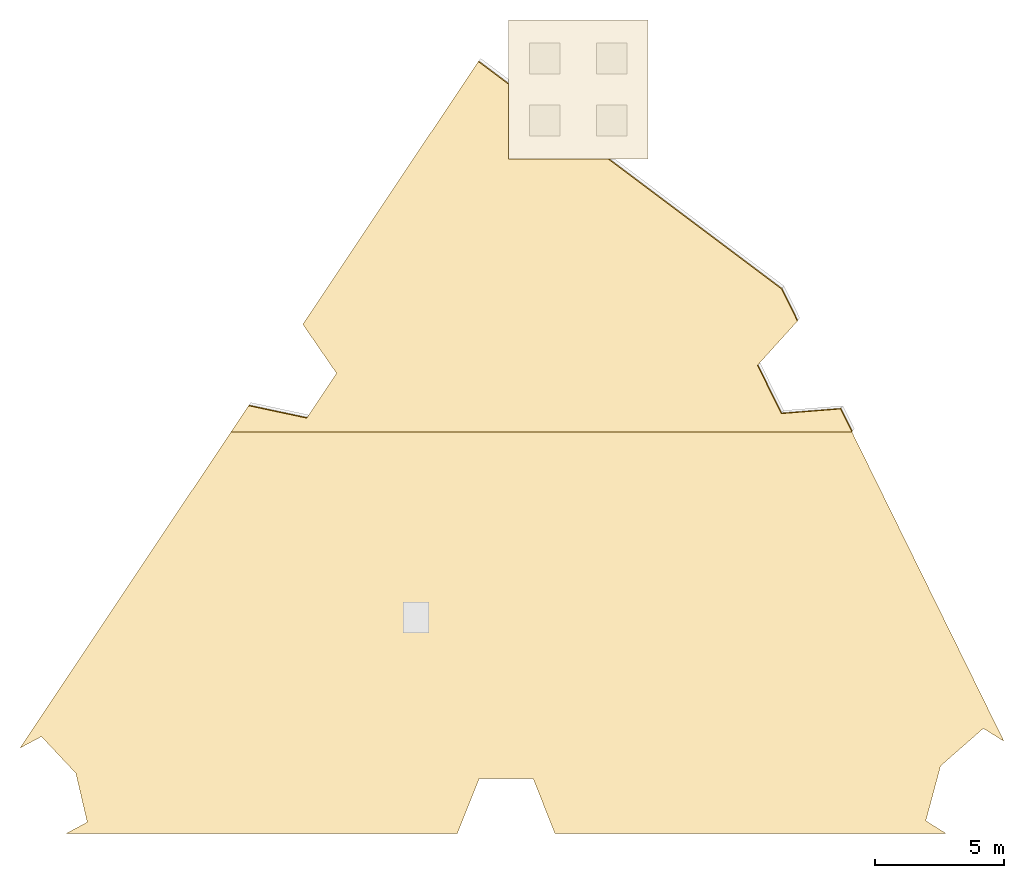
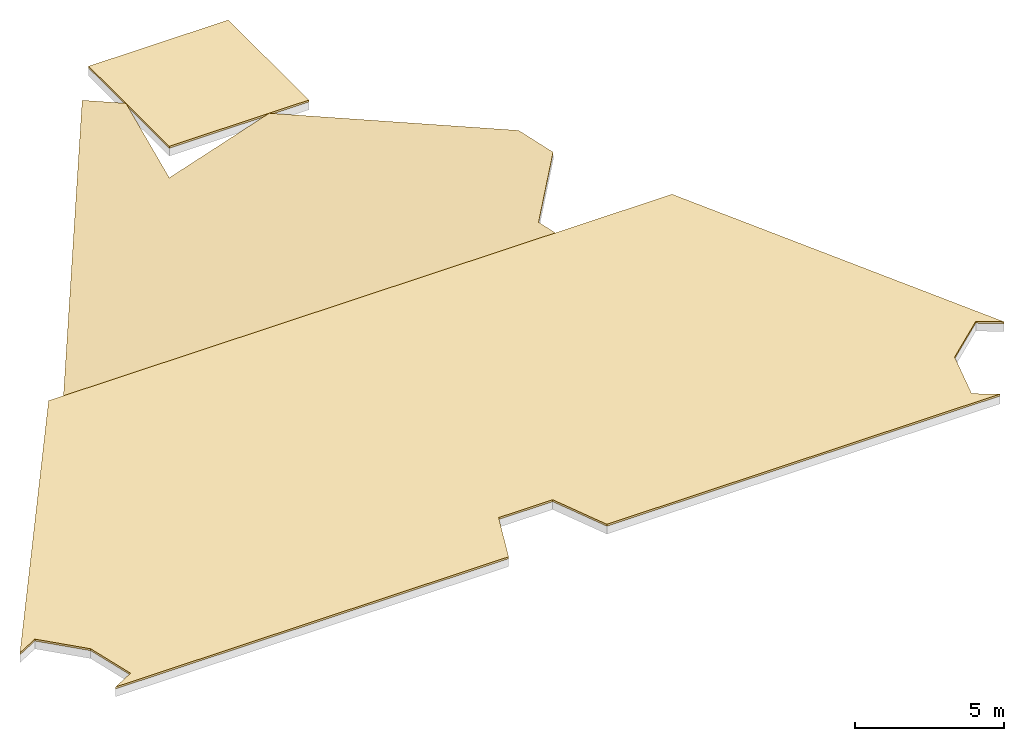
# One storey, part 2 of 2: 3 coverings.
"""IFC4 building model written with IfcOpenShell, lengths in metres."""

from ifc_helpers import new_model, si_unit, direction, frame, origin, place, context, subcontext, project, spatial, polyline, outline, extrude, material, layer, layer_set, type_object, element, save


model = new_model("IFC4")

# Units and contexts
model_context = context("Model", 3, precision=1e-05, world=origin(), true_north=direction((0.0, 1.0)))
body_context = subcontext(model_context, "Body", "Model", "MODEL_VIEW")
ifc_project = project(units=[si_unit("LENGTHUNIT", "METRE"), si_unit("AREAUNIT", "SQUARE_METRE"), si_unit("VOLUMEUNIT", "CUBIC_METRE"), si_unit("PLANEANGLEUNIT", "RADIAN"), si_unit("MASSUNIT", "GRAM", prefix="KILO")], contexts=[model_context])

# Site, building, storey
site_placement = place(None, origin())
site = spatial("IfcSite", under=ifc_project, at=site_placement, CompositionType="ELEMENT")
building_placement = place(site_placement, origin())
building = spatial("IfcBuilding", under=site, at=building_placement, Name="Almagre Mirador Tower", CompositionType="ELEMENT")
storey_placement = place(building_placement, frame((0.0, 0.0, 322.5)))
storey = spatial("IfcBuildingStorey", under=building, at=storey_placement, Name="Roof", CompositionType="ELEMENT", Elevation=322.5)

# Coverings
ifc_material = material(Name="Elastomeric hurricane roofing membrane", Category="other")
ifc_layer = layer(ifc_material, 0.080078125)
ifc_layer_set = layer_set([ifc_layer], Name="Elastomeric hurricane roofing membrane")
covering_type = type_object("IfcCoveringType", Name="COV-ROOF-MEMB", PredefinedType="ROOFING", material=ifc_layer_set)
covering_1_placement = place(storey_placement, frame((30.117919921875, 19.675048828125, -7.21630859375), z_axis=(-0.291382966899, -0.388514828386, 0.874157991856), x_axis=(-0.558802360097, 0.810820202509, 0.174099171606)))
element("IfcCovering", 1, at=covering_1_placement, inside=storey, type_object=covering_type, Name="Slanted-cut crown elastomeric roofing membrane RM-01", PredefinedType="ROOFING", context=body_context, shape_type="SweptSolid", body=[
    extrude(outline(polyline([(0.0, 0.0), (2.349575035251006, -5.551115123125783e-17), (8.002579083790543, -12.843969959660726), (6.623701945613021, -13.373476190208308), (4.048020331280056, -11.519736567782694), (2.111681890776211, -15.106240304298261), (-5.745167854204187, -18.123278360756622), (-7.157715526686055, -17.895245520738786), (-7.904724940023435, -15.358704725283854), (-10.03272707970742, -15.014813635817784), (-11.025881894906531, -17.26997977084738), (-12.041295851262557, -17.106060290342455), (0.03429030164970481, 5.26071809139526), (0.5992676736874036, 3.9771622982616677), (-0.9628436954234509, 2.1868316569178425), (0.0, 0.0)])), origin(), (0.0, 0.0, -1.0), 0.080078125),
])
covering_2_placement = place(storey_placement, frame((0.0, 0.0, -0.280029296875)))
element("IfcCovering", 2, at=covering_2_placement, inside=storey, type_object=covering_type, Name="Crown core headhouse roofing membrane RM-02", PredefinedType="ROOFING", context=body_context, shape_type="SweptSolid", body=[
    extrude(outline(polyline([(56.034912109375, 5.388916015625), (55.23291015625, 5.888916015625), (53.572021484375, 4.431884765625), (52.998046875, 2.299072265625), (53.800048828125, 1.800048828125), (38.60009765625, 1.800048828125), (37.7451171875, 3.949951171875), (35.655029296875, 3.949951171875), (34.800048828125, 1.800048828125), (19.60009765625, 1.800048828125), (20.43310546875, 2.24609375), (19.990966796875, 4.14794921875), (18.654052734375, 5.572021484375), (17.821044921875, 5.126953125), (26.01416015625, 17.39990234375), (50.128173828125, 17.39990234375), (56.034912109375, 5.388916015625)])), origin(), (0.0, 0.0, 1.0), 0.080078125),
])
covering_3_placement = place(storey_placement, frame((0.0, 0.0, -0.080078125)))
element("IfcCovering", 3, at=covering_3_placement, inside=storey, type_object=covering_type, Name="Crown apex elastomeric roofing membrane RM-03", PredefinedType="ROOFING", context=body_context, shape_type="SweptSolid", body=[
    extrude(outline(polyline([(36.800048828125, 28.0), (42.199951171875, 28.0), (42.199951171875, 33.39990234375), (36.800048828125, 33.39990234375), (36.800048828125, 28.0)])), origin(), (0.0, 0.0, 1.0), 0.080078125),
])

save(model, "model.ifc")
